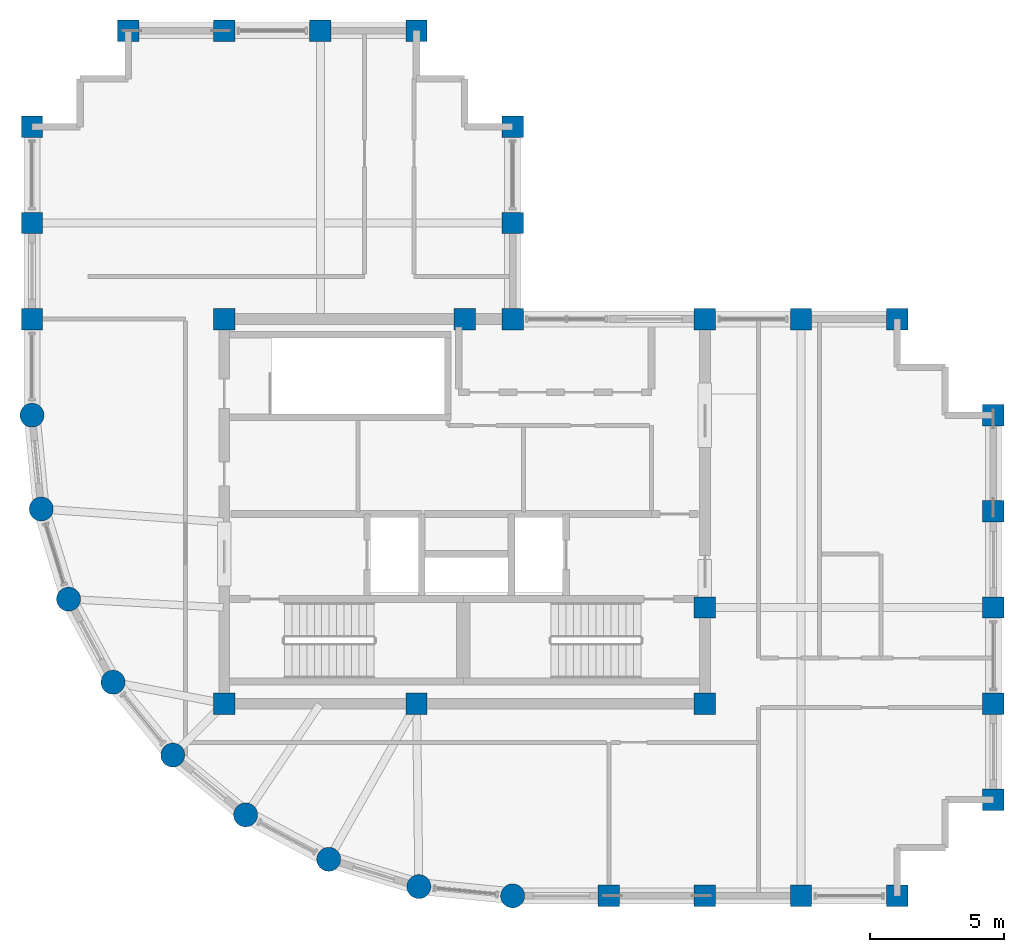
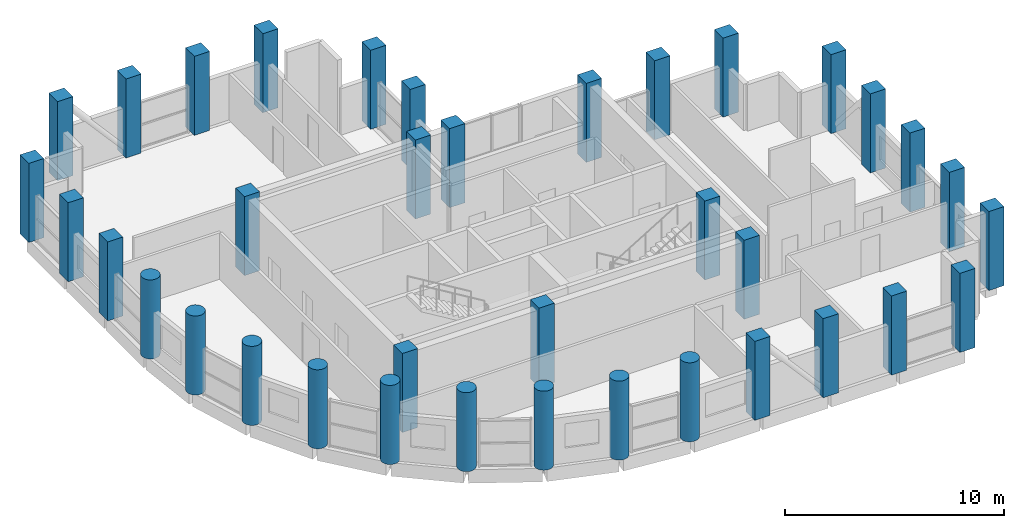
# One storey, part 1 of 14: 37 columns.
"""IFC4 building model written with IfcOpenShell, lengths in metres."""

from ifc_helpers import new_model, si_unit, direction, frame, origin, origin_2d, place, context, subcontext, project, spatial, rectangle, circle, extrude, material, material_profile, profile_set, type_object, element, save


model = new_model("IFC4")

# Units and contexts
model_context = context("Model", 3, precision=1e-05, world=origin(), true_north=direction((0.0, 1.0)))
body_context = subcontext(model_context, "Body", "Model", "MODEL_VIEW")
ifc_project = project(units=[si_unit("LENGTHUNIT", "METRE"), si_unit("AREAUNIT", "SQUARE_METRE"), si_unit("VOLUMEUNIT", "CUBIC_METRE"), si_unit("PLANEANGLEUNIT", "RADIAN"), si_unit("MASSUNIT", "GRAM", prefix="KILO")], contexts=[model_context])

# Site, building, storey
site_placement = place(None, origin())
site = spatial("IfcSite", under=ifc_project, at=site_placement, CompositionType="ELEMENT")
building_placement = place(site_placement, origin())
building = spatial("IfcBuilding", under=site, at=building_placement, Name="Solnavia Interchange Tower", CompositionType="ELEMENT")
storey_placement = place(building_placement, frame((0.0, 0.0, 299.800048828125)))
storey = spatial("IfcBuildingStorey", under=building, at=storey_placement, Name="L76", CompositionType="ELEMENT", Elevation=299.800048828125)

# Columns
ifc_material = material(Name="Concrete C50/60", Category="concrete")
ifc_material_profile_1 = material_profile(ifc_material, rectangle(XDim=0.800048828125, YDim=0.800048828125, at=origin_2d()), Name="RC 800x800")
ifc_profile_set_1 = profile_set([ifc_material_profile_1], Name="Concrete C50/60")
column_type_1 = type_object("IfcColumnType", Name="Col-RC-800x800", PredefinedType="COLUMN", material=ifc_profile_set_1)
for number, where, z_axis, x_axis, name in (
    (1, (7.199951171875, 25.199951171875, 0.0), (0.0, 0.0, 1.0), (0.0, 1.0, 0.0), "COL-L76-02 Tower perim y column"),
    (2, (7.199951171875, 28.800048828125, 0.0), (0.0, 0.0, 1.0), (0.0, 1.0, 0.0), "COL-L76-03 Tower perim y column"),
    (3, (7.199951171875, 32.39990234375, 0.0), (0.0, 0.0, 1.0), (0.0, 1.0, 0.0), "COL-L76-04 Tower corner column"),
    (4, (10.800048828125, 36.0, 0.0), (0.0, 0.0, 1.0), (1.0, 0.0, 0.0), "COL-L76-08 Tower corner column"),
    (5, (14.39990234375, 10.800048828125, 0.0), (0.0, 0.0, 1.0), (1.0, 0.0, 0.0), "COL-L76-10 Tower interior column"),
    (6, (14.39990234375, 25.199951171875, 0.0), (0.0, 0.0, 1.0), (1.0, 0.0, 0.0), "COL-L76-11 Tower interior column"),
    (7, (14.39990234375, 36.0, 0.0), (0.0, 0.0, 1.0), (1.0, 0.0, 0.0), "COL-L76-12 Tower perim x column"),
    (8, (18.0, 36.0, 0.0), (0.0, 0.0, 1.0), (1.0, 0.0, 0.0), "COL-L76-14 Tower perim x column"),
    (9, (21.60009765625, 10.800048828125, 0.0), (0.0, 0.0, 1.0), (1.0, 0.0, 0.0), "COL-L76-16 Tower interior column"),
    (10, (21.60009765625, 36.0, 0.0), (0.0, 0.0, 1.0), (1.0, 0.0, 0.0), "COL-L76-17 Tower corner column"),
    (11, (23.39990234375, 25.199951171875, 0.0), (0.0, 0.0, 1.0), (1.0, 0.0, 0.0), "COL-L76-19 Tower interior column"),
    (12, (25.199951171875, 25.199951171875, 0.0), (0.0, 0.0, 1.0), (1.0, 0.0, 0.0), "COL-L76-21 Tower interior column"),
    (13, (25.199951171875, 28.800048828125, 0.0), (0.0, 0.0, 1.0), (0.0, 1.0, 0.0), "COL-L76-22 Tower perim y column"),
    (14, (25.199951171875, 32.39990234375, 0.0), (0.0, 0.0, 1.0), (0.0, 1.0, 0.0), "COL-L76-23 Tower corner column"),
    (15, (28.800048828125, 3.60009765625, 0.0), (0.0, 0.0, 1.0), (1.0, 0.0, 0.0), "COL-L76-24 Tower perim x column"),
    (16, (32.39990234375, 3.60009765625, 0.0), (0.0, 0.0, 1.0), (1.0, 0.0, 0.0), "COL-L76-25 Tower perim x column"),
    (17, (32.39990234375, 10.800048828125, 0.0), (0.0, 0.0, 1.0), (1.0, 0.0, 0.0), "COL-L76-26 Tower interior column"),
    (18, (32.39990234375, 14.39990234375, 0.0), (0.0, 0.0, 1.0), (1.0, 0.0, 0.0), "COL-L76-27 Tower interior column"),
    (19, (32.39990234375, 25.199951171875, 0.0), (0.0, 0.0, 1.0), (1.0, 0.0, 0.0), "COL-L76-28 Tower interior column"),
    (20, (36.0, 3.60009765625, 0.0), (0.0, 0.0, 1.0), (1.0, 0.0, 0.0), "COL-L76-29 Tower perim x column"),
    (21, (36.0, 25.199951171875, 0.0), (0.0, 0.0, 1.0), (1.0, 0.0, 0.0), "COL-L76-30 Tower perim x column"),
    (22, (39.60009765625, 3.60009765625, 0.0), (0.0, 0.0, 1.0), (1.0, 0.0, 0.0), "COL-L76-31 Tower corner column"),
    (23, (39.60009765625, 25.199951171875, 0.0), (0.0, 0.0, 1.0), (1.0, 0.0, 0.0), "COL-L76-32 Tower corner column"),
    (24, (43.199951171875, 7.199951171875, 0.0), (0.0, 0.0, 1.0), (1.0, 0.0, 0.0), "COL-L76-33 Tower corner column"),
    (25, (43.199951171875, 10.800048828125, 0.0), (0.0, 0.0, 1.0), (0.0, 1.0, 0.0), "COL-L76-34 Tower perim y column"),
    (26, (43.199951171875, 14.39990234375, 0.0), (0.0, 0.0, 1.0), (0.0, 1.0, 0.0), "COL-L76-35 Tower perim y column"),
    (27, (43.199951171875, 18.0, 0.0), (0.0, 0.0, 1.0), (0.0, 1.0, 0.0), "COL-L76-36 Tower perim y column"),
    (28, (43.199951171875, 21.60009765625, 0.0), (0.0, 0.0, 1.0), (0.0, 1.0, 0.0), "COL-L76-37 Tower corner column"),
):
    element("IfcColumn", number, at=place(storey_placement, frame(where, z_axis=z_axis, x_axis=x_axis)), inside=storey, type_object=column_type_1, Name=name, PredefinedType="COLUMN", context=body_context, shape_type="SweptSolid", body=[
        extrude(rectangle(XDim=0.800048828125, YDim=0.800048828125, at=origin_2d()), origin(), (0.0, 0.0, 1.0), 4.39990234375),
    ])
ifc_material_profile_2 = material_profile(ifc_material, circle(Radius=0.449951171875, at=origin_2d()), Name="RC D900")
ifc_profile_set_2 = profile_set([ifc_material_profile_2], Name="Concrete C50/60")
column_type_2 = type_object("IfcColumnType", Name="Col-RC-D900", PredefinedType="COLUMN", material=ifc_profile_set_2)
for number, where, z_axis, x_axis, name in (
    (29, (7.199951171875, 21.60009765625, 0.0), (0.0, 0.0, 1.0), (1.0, 0.0, 0.0), "COL-L76-01 Tower drum column"),
    (30, (7.5458984375, 18.087890625, 0.0), (0.0, 0.0, 1.0), (1.0, 0.0, 0.0), "COL-L76-05 Tower drum column"),
    (31, (8.570068359375, 14.7119140625, 0.0), (0.0, 0.0, 1.0), (1.0, 0.0, 0.0), "COL-L76-06 Tower drum column"),
    (32, (10.23388671875, 11.60009765625, 0.0), (0.0, 0.0, 1.0), (1.0, 0.0, 0.0), "COL-L76-07 Tower drum column"),
    (33, (12.471923828125, 8.8720703125, 0.0), (0.0, 0.0, 1.0), (1.0, 0.0, 0.0), "COL-L76-09 Tower drum column"),
    (34, (15.199951171875, 6.634033203125, 0.0), (0.0, 0.0, 1.0), (1.0, 0.0, 0.0), "COL-L76-13 Tower drum column"),
    (35, (18.31201171875, 4.969970703125, 0.0), (0.0, 0.0, 1.0), (1.0, 0.0, 0.0), "COL-L76-15 Tower drum column"),
    (36, (21.68798828125, 3.946044921875, 0.0), (0.0, 0.0, 1.0), (1.0, 0.0, 0.0), "COL-L76-18 Tower drum column"),
    (37, (25.199951171875, 3.60009765625, 0.0), (0.0, 0.0, 1.0), (1.0, 0.0, 0.0), "COL-L76-20 Tower drum column"),
):
    element("IfcColumn", number, at=place(storey_placement, frame(where, z_axis=z_axis, x_axis=x_axis)), inside=storey, type_object=column_type_2, Name=name, PredefinedType="COLUMN", context=body_context, shape_type="SweptSolid", body=[
        extrude(circle(Radius=0.449951171875, at=origin_2d()), origin(), (0.0, 0.0, 1.0), 4.39990234375),
    ])

save(model, "model.ifc")
